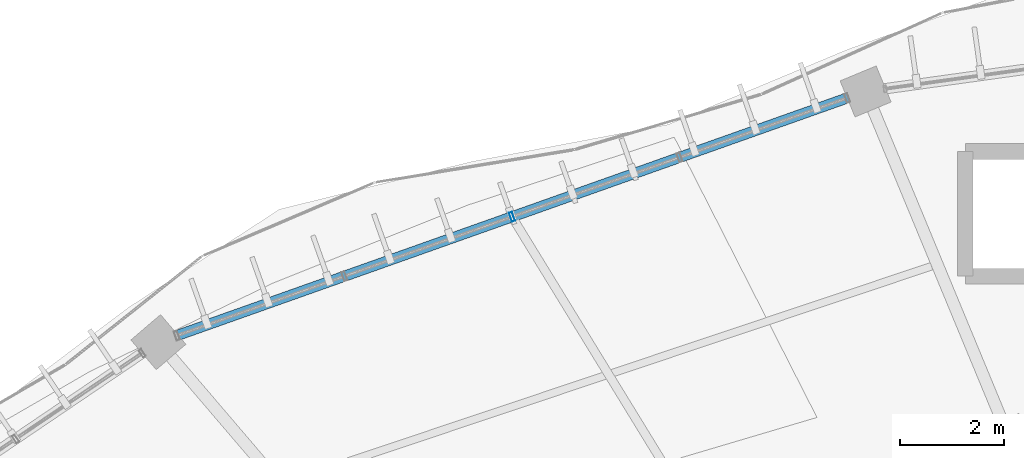
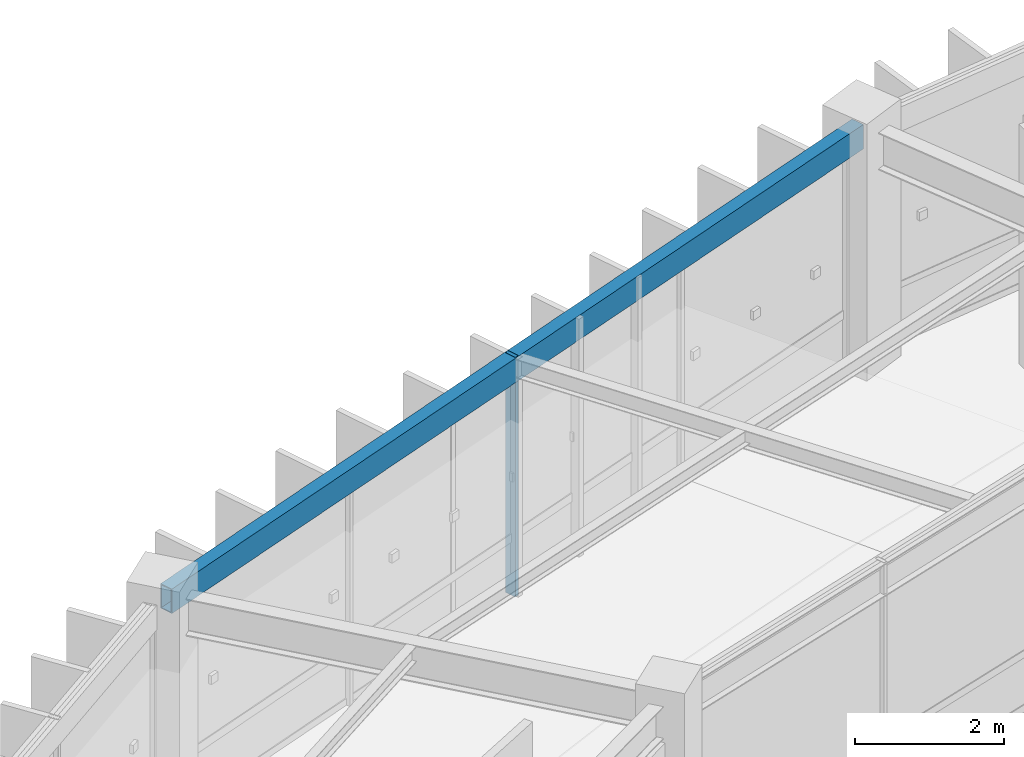
# One storey, part 60 of 152: 1 beam, 1 member, 1 element without a shape of its own.
"""IFC4 building model written with IfcOpenShell, lengths in metres."""

from ifc_helpers import new_model, si_unit, direction, frame, origin, origin_2d, place, context, subcontext, project, spatial, hollow_rectangle, extrude, material, material_profile, profile_set, type_object, element, aggregate, save


model = new_model("IFC4")

# Units and contexts
model_context = context("Model", 3, precision=1e-05, world=origin(), true_north=direction((0.0, 1.0)))
body_context = subcontext(model_context, "Body", "Model", "MODEL_VIEW")
ifc_project = project(units=[si_unit("LENGTHUNIT", "METRE"), si_unit("AREAUNIT", "SQUARE_METRE"), si_unit("VOLUMEUNIT", "CUBIC_METRE"), si_unit("PLANEANGLEUNIT", "RADIAN"), si_unit("MASSUNIT", "GRAM", prefix="KILO"), si_unit("THERMODYNAMICTEMPERATUREUNIT", "KELVIN"), si_unit("POWERUNIT", "WATT")], contexts=[model_context])

# Site, building, storey
site_placement = place(None, origin())
site = spatial("IfcSite", under=ifc_project, at=site_placement, CompositionType="ELEMENT")
building_placement = place(site_placement, origin())
building = spatial("IfcBuilding", under=site, at=building_placement, Name="Darbajah Civic Hall", CompositionType="ELEMENT")
storey_placement = place(building_placement, frame((0.0, 0.0, 5.39990234375)))
storey = spatial("IfcBuildingStorey", under=building, at=storey_placement, Name="L01", CompositionType="ELEMENT", Elevation=5.39990234375)

# Curtain wall, member
ifc_material_1 = material(Name="Anodised Bronze Aluminium and Low-E Glazing", Category="aluminium")
curtain_wall_type = type_object("IfcCurtainWallType", Name="Unitised Curtain Wall CW-24 13700x3900", PredefinedType="USERDEFINED", material=ifc_material_1)
curtain_wall_placement = place(storey_placement, origin())
curtain_wall = element("IfcCurtainWall", 1, at=curtain_wall_placement, inside=storey, type_object=curtain_wall_type, Name="L01 unitised curtain wall CW-V1O-L01-06", ObjectType="UNITISED CURTAIN WALL", PredefinedType="USERDEFINED")
ifc_material_2 = material(Name="Anodised Bronze Aluminium", Category="aluminium")
ifc_material_profile_1 = material_profile(ifc_material_2, hollow_rectangle(XDim=0.06494140625, YDim=0.179931640625, WallThickness=0.00390625, at=origin_2d()), Name="ALU MULLION 65x180")
ifc_profile_set_1 = profile_set([ifc_material_profile_1], Name="Anodised Bronze Aluminium")
member_type = type_object("IfcMemberType", Name="ALU MULLION 65x180", PredefinedType="MULLION", material=ifc_profile_set_1)
member_placement = place(storey_placement, frame((62.780517578125, 114.643310546875, 0.0), z_axis=(0.0, 0.0, 1.0), x_axis=(-0.94252491309, -0.334135882844, 0.0)))
member = element("IfcMember", 2, at=member_placement, type_object=member_type, Name="CW-V1O-L01-06 mullion 3", PredefinedType="MULLION", context=body_context, shape_type="SweptSolid", body=[
    extrude(hollow_rectangle(XDim=0.06494140625, YDim=0.179931640625, WallThickness=0.00390625, at=origin_2d()), origin(), (0.0, 0.0, 1.0), 3.920166015625),
])
aggregate(curtain_wall, [member])

# Beam
ifc_material_3 = material(Name="Steel S355JR", Category="steel")
ifc_material_profile_2 = material_profile(ifc_material_3, hollow_rectangle(XDim=0.199951171875, YDim=0.39990234375, WallThickness=0.013916015625, at=origin_2d()), Name="RHS 400x200x14")
ifc_profile_set_2 = profile_set([ifc_material_profile_2], Name="Steel S355JR")
beam_type = type_object("IfcBeamType", Name="RHS 400x200x14", PredefinedType="SPANDREL", material=ifc_profile_set_2)
beam_placement = place(storey_placement, frame((69.5078125, 117.027587890625, 3.72021484375), z_axis=(-0.942545228917, -0.334078570768, 0.0), x_axis=(0.334078570768, -0.942545228917, 0.0)))
element("IfcBeam", 3, at=beam_placement, inside=storey, type_object=beam_type, Name="L01 beam SP-RHS400", PredefinedType="SPANDREL", context=body_context, shape_type="SweptSolid", body=[
    extrude(hollow_rectangle(XDim=0.199951171875, YDim=0.39990234375, WallThickness=0.013916015625, at=origin_2d()), origin(), (0.0, 0.0, 1.0), 14.2744140625),
])

save(model, "model.ifc")
